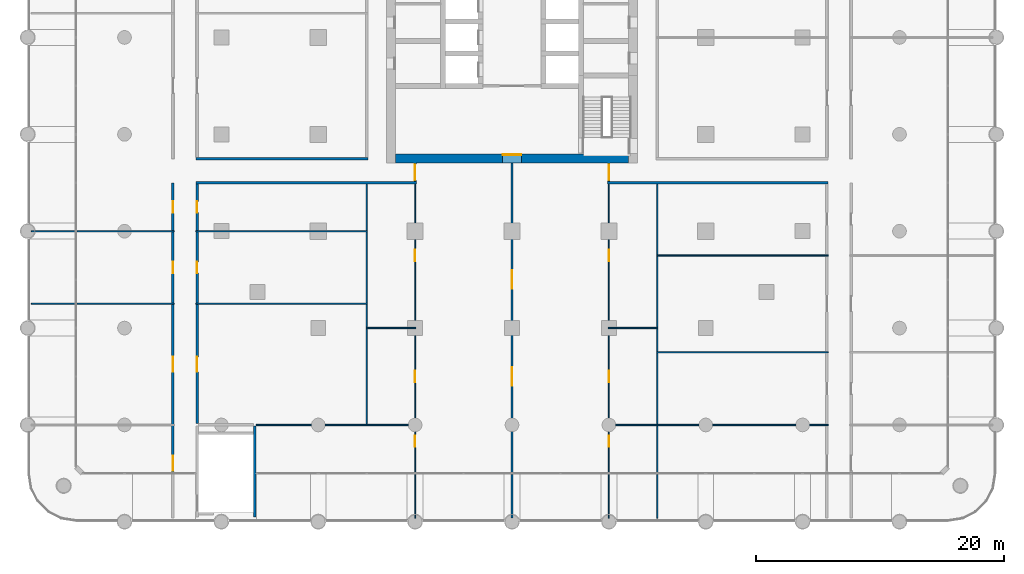
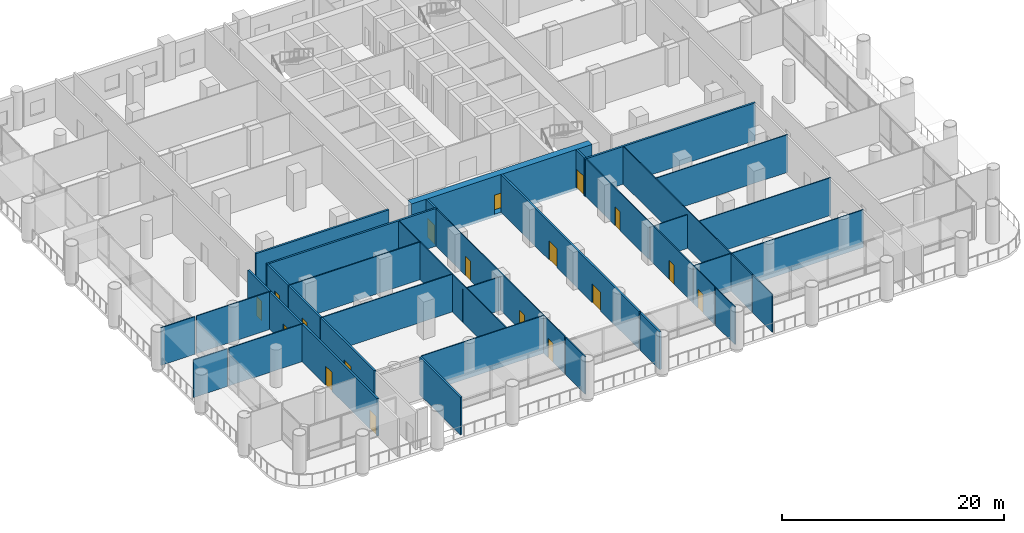
# One storey, part 10 of 23: 30 walls, 18 doors, 18 openings.
"""IFC4 building model written with IfcOpenShell, lengths in metres."""

from ifc_helpers import new_model, si_unit, direction, frame, frame_2d, origin, place, context, subcontext, project, spatial, rectangle, extrude, material, layer, layer_set, type_object, element, fill, save


model = new_model("IFC4")

# Units and contexts
model_context = context("Model", 3, precision=1e-05, world=origin(), true_north=direction((0.0, 1.0)))
body_context = subcontext(model_context, "Body", "Model", "MODEL_VIEW")
ifc_project = project(units=[si_unit("LENGTHUNIT", "METRE"), si_unit("AREAUNIT", "SQUARE_METRE"), si_unit("VOLUMEUNIT", "CUBIC_METRE"), si_unit("PLANEANGLEUNIT", "RADIAN"), si_unit("MASSUNIT", "GRAM", prefix="KILO")], contexts=[model_context])

# Site, building, storey
site_placement = place(None, origin())
site = spatial("IfcSite", under=ifc_project, at=site_placement, CompositionType="ELEMENT")
building_placement = place(site_placement, origin())
building = spatial("IfcBuilding", under=site, at=building_placement, Name="Ludao Terraces", CompositionType="ELEMENT")
storey_placement = place(building_placement, frame((0.0, 0.0, 10.5)))
storey = spatial("IfcBuildingStorey", under=building, at=storey_placement, Name="L02", CompositionType="ELEMENT", Elevation=10.5)

# Wall, opening, door
ifc_material_1 = material(Name="Concrete C70", Category="concrete")
ifc_layer_1 = layer(ifc_material_1, 0.699951171875)
ifc_layer_set_1 = layer_set([ifc_layer_1], Name="Core wall 700 C70")
wall_type_1 = type_object("IfcWallType", Name="Core wall 700 C70", PredefinedType="SOLIDWALL", material=ifc_layer_set_1)
wall_1_placement = place(storey_placement, frame((75.60009765625, 55.25, -0.300048828125), z_axis=(0.0, 0.0, 1.0), x_axis=(1.0, 0.0, 0.0)))
wall_1 = element("IfcWall", 1, at=wall_1_placement, inside=storey, type_object=wall_type_1, Name="Core wall L02 outer-S", PredefinedType="SOLIDWALL", context=body_context, shape_type="SweptSolid", body=[
    extrude(rectangle(XDim=18.7998046875, YDim=0.699951171875, at=frame_2d((9.39990234375, 0.0))), origin(), (0.0, 0.0, 1.0), 4.449951171875),
])
opening_1_placement = place(wall_1_placement, frame((8.64990234375, 0.0, 0.300048828125)))
opening_1 = element("IfcOpeningElement", 2, at=opening_1_placement, cuts=wall_1, Name="Opening L02-027", PredefinedType="OPENING", context=body_context, shape_type="SweptSolid", body=[
    extrude(rectangle(XDim=1.5, YDim=2.10009765625, at=frame_2d((0.75, 1.050048828125))), frame((0.0, 0.35986328125, 0.0), z_axis=(0.0, -1.0, 0.0), x_axis=(1.0, 0.0, 0.0)), (0.0, 0.0, 1.0), 0.719970703125),
])
ifc_material_2 = material(Name="Steel Q235", Category="steel")
door_type_1 = type_object("IfcDoorType", Name="INT Lobby door 1500", OperationType="DOUBLE_DOOR_SINGLE_SWING", PredefinedType="DOOR", material=ifc_material_2)
door_1_placement = place(opening_1_placement, origin())
door_1 = element("IfcDoor", 3, at=door_1_placement, inside=storey, type_object=door_type_1, Name="DOOR 027", OperationType="DOUBLE_DOOR_SINGLE_SWING", OverallHeight=2.10009765625, OverallWidth=1.5, PredefinedType="DOOR", context=body_context, shape_type="SweptSolid", body=[
    extrude(rectangle(XDim=1.5, YDim=2.10009765625, at=frame_2d((0.75, 1.050048828125))), frame((0.0, 0.3349609375, 0.0), z_axis=(0.0, -1.0, 0.0), x_axis=(1.0, 0.0, 0.0)), (0.0, 0.0, 1.0), 0.050048828125),
])
fill(opening_1, door_1)

# Walls
ifc_material_3 = material(Name="Autoclaved aerated concrete block B06 A3.5", Category="concrete")
ifc_layer_2 = layer(ifc_material_3, 0.199951171875)
ifc_layer_set_2 = layer_set([ifc_layer_2], Name="INT Entrance wall 200")
wall_type_2 = type_object("IfcWallType", Name="INT Entrance wall 200", PredefinedType="PARTITIONING", material=ifc_layer_set_2)
for number, where, z_axis, x_axis, name in (
    (4, (59.550048828125, 53.300048828125, 0.0), (0.0, 0.0, 1.0), (1.0, 0.0, 0.0), "PW-L02-PW021"),
    (5, (92.7001953125, 53.300048828125, 0.0), (0.0, 0.0, 1.0), (1.0, 0.0, 0.0), "PW-L02-PW022"),
):
    element("IfcWall", number, at=place(storey_placement, frame(where, z_axis=z_axis, x_axis=x_axis)), inside=storey, type_object=wall_type_2, Name=name, PredefinedType="PARTITIONING", context=body_context, shape_type="SweptSolid", body=[
        extrude(rectangle(XDim=17.75, YDim=0.199951171875, at=frame_2d((8.875, 0.0))), origin(), (0.0, 0.0, 1.0), 4.14990234375),
    ])
wall_2_placement = place(storey_placement, frame((59.550048828125, 55.25, 0.0), z_axis=(0.0, 0.0, 1.0), x_axis=(1.0, 0.0, 0.0)))
element("IfcWall", 6, at=wall_2_placement, inside=storey, type_object=wall_type_2, Name="PW-L02-PW023", PredefinedType="PARTITIONING", context=body_context, shape_type="SweptSolid", body=[
    extrude(rectangle(XDim=13.85009765625, YDim=0.199951171875, at=frame_2d((6.925048828125, 0.0))), origin(), (0.0, 0.0, 1.0), 4.14990234375),
])

# Wall, openings, doors
wall_3_placement = place(storey_placement, frame((57.699951171875, 29.97998046875, 0.0), z_axis=(0.0, 0.0, 1.0), x_axis=(0.0, 1.0, 0.0)))
wall_3 = element("IfcWall", 7, at=wall_3_placement, inside=storey, type_object=wall_type_2, Name="PW-L02-PW050", PredefinedType="PARTITIONING", context=body_context, shape_type="SweptSolid", body=[
    extrude(rectangle(XDim=23.320068359375, YDim=0.199951171875, at=frame_2d((11.66015625, 0.0))), origin(), (0.0, 0.0, 1.0), 4.14990234375),
])
opening_2_placement = place(wall_3_placement, frame((0.14990234375, 0.0, 0.0)))
opening_2 = element("IfcOpeningElement", 8, at=opening_2_placement, cuts=wall_3, Name="Opening L02-002", PredefinedType="OPENING", context=body_context, shape_type="SweptSolid", body=[
    extrude(rectangle(XDim=1.199951171875, YDim=2.10009765625, at=frame_2d((0.60009765625, 1.050048828125))), frame((0.0, 0.10986328125, 0.0), z_axis=(0.0, -1.0, 0.0), x_axis=(1.0, 0.0, 0.0)), (0.0, 0.0, 1.0), 0.219970703125),
])
opening_3_placement = place(wall_3_placement, frame((8.094970703125, 0.0, 0.0)))
opening_3 = element("IfcOpeningElement", 9, at=opening_3_placement, cuts=wall_3, Name="Opening L02-012", PredefinedType="OPENING", context=body_context, shape_type="SweptSolid", body=[
    extrude(rectangle(XDim=1.199951171875, YDim=2.10009765625, at=frame_2d((0.60009765625, 1.050048828125))), frame((0.0, 0.10986328125, 0.0), z_axis=(0.0, -1.0, 0.0), x_axis=(1.0, 0.0, 0.0)), (0.0, 0.0, 1.0), 0.219970703125),
])
opening_4_placement = place(wall_3_placement, frame((16.044921875, 0.0, 0.0)))
opening_4 = element("IfcOpeningElement", 10, at=opening_4_placement, cuts=wall_3, Name="Opening L02-017", PredefinedType="OPENING", context=body_context, shape_type="SweptSolid", body=[
    extrude(rectangle(XDim=0.89990234375, YDim=2.10009765625, at=frame_2d((0.449951171875, 1.050048828125))), frame((0.0, 0.10986328125, 0.0), z_axis=(0.0, -1.0, 0.0), x_axis=(1.0, 0.0, 0.0)), (0.0, 0.0, 1.0), 0.219970703125),
])
opening_5_placement = place(wall_3_placement, frame((20.919921875, 0.0, 0.0)))
opening_5 = element("IfcOpeningElement", 11, at=opening_5_placement, cuts=wall_3, Name="Opening L02-023", PredefinedType="OPENING", context=body_context, shape_type="SweptSolid", body=[
    extrude(rectangle(XDim=0.89990234375, YDim=2.10009765625, at=frame_2d((0.449951171875, 1.050048828125))), frame((0.0, 0.10986328125, 0.0), z_axis=(0.0, -1.0, 0.0), x_axis=(1.0, 0.0, 0.0)), (0.0, 0.0, 1.0), 0.219970703125),
])
ifc_material_4 = material(Name="Timber door leaf", Category="wood")
door_type_2 = type_object("IfcDoorType", Name="INT Double door 1200", OperationType="DOUBLE_DOOR_SINGLE_SWING", PredefinedType="DOOR", material=ifc_material_4)
door_2_placement = place(opening_2_placement, origin())
door_2 = element("IfcDoor", 12, at=door_2_placement, inside=storey, type_object=door_type_2, Name="DOOR 002", OperationType="DOUBLE_DOOR_SINGLE_SWING", OverallHeight=2.10009765625, OverallWidth=1.199951171875, PredefinedType="DOOR", context=body_context, shape_type="SweptSolid", body=[
    extrude(rectangle(XDim=1.199951171875, YDim=2.10009765625, at=frame_2d((0.60009765625, 1.050048828125))), frame((0.0, 0.02490234375, 0.0), z_axis=(0.0, -1.0, 0.0), x_axis=(1.0, 0.0, 0.0)), (0.0, 0.0, 1.0), 0.050048828125),
])
fill(opening_2, door_2)
door_3_placement = place(opening_3_placement, origin())
door_3 = element("IfcDoor", 13, at=door_3_placement, inside=storey, type_object=door_type_2, Name="DOOR 012", OperationType="DOUBLE_DOOR_SINGLE_SWING", OverallHeight=2.10009765625, OverallWidth=1.199951171875, PredefinedType="DOOR", context=body_context, shape_type="SweptSolid", body=[
    extrude(rectangle(XDim=1.199951171875, YDim=2.10009765625, at=frame_2d((0.60009765625, 1.050048828125))), frame((0.0, 0.02490234375, 0.0), z_axis=(0.0, -1.0, 0.0), x_axis=(1.0, 0.0, 0.0)), (0.0, 0.0, 1.0), 0.050048828125),
])
fill(opening_3, door_3)
door_type_3 = type_object("IfcDoorType", Name="INT Room door 900", OperationType="SINGLE_SWING_LEFT", PredefinedType="DOOR", material=ifc_material_4)
door_4_placement = place(opening_4_placement, origin())
door_4 = element("IfcDoor", 14, at=door_4_placement, inside=storey, type_object=door_type_3, Name="DOOR 017", OperationType="SINGLE_SWING_LEFT", OverallHeight=2.10009765625, OverallWidth=0.89990234375, PredefinedType="DOOR", context=body_context, shape_type="SweptSolid", body=[
    extrude(rectangle(XDim=0.89990234375, YDim=2.10009765625, at=frame_2d((0.449951171875, 1.050048828125))), frame((0.0, 0.02490234375, 0.0), z_axis=(0.0, -1.0, 0.0), x_axis=(1.0, 0.0, 0.0)), (0.0, 0.0, 1.0), 0.050048828125),
])
fill(opening_4, door_4)
door_5_placement = place(opening_5_placement, origin())
door_5 = element("IfcDoor", 15, at=door_5_placement, inside=storey, type_object=door_type_3, Name="DOOR 023", OperationType="SINGLE_SWING_LEFT", OverallHeight=2.10009765625, OverallWidth=0.89990234375, PredefinedType="DOOR", context=body_context, shape_type="SweptSolid", body=[
    extrude(rectangle(XDim=0.89990234375, YDim=2.10009765625, at=frame_2d((0.449951171875, 1.050048828125))), frame((0.0, 0.02490234375, 0.0), z_axis=(0.0, -1.0, 0.0), x_axis=(1.0, 0.0, 0.0)), (0.0, 0.0, 1.0), 0.050048828125),
])
fill(opening_5, door_5)

wall_4_placement = place(storey_placement, frame((59.64990234375, 33.900146484375, 0.0), z_axis=(0.0, 0.0, 1.0), x_axis=(0.0, 1.0, 0.0)))
wall_4 = element("IfcWall", 16, at=wall_4_placement, inside=storey, type_object=wall_type_2, Name="PW-L02-PW052", PredefinedType="PARTITIONING", context=body_context, shape_type="SweptSolid", body=[
    extrude(rectangle(XDim=19.300048828125, YDim=0.199951171875, at=frame_2d((9.64990234375, 0.0))), origin(), (0.0, 0.0, 1.0), 4.14990234375),
])
opening_6_placement = place(wall_4_placement, frame((4.175048828125, 0.0, 0.0)))
opening_6 = element("IfcOpeningElement", 17, at=opening_6_placement, cuts=wall_4, Name="Opening L02-013", PredefinedType="OPENING", context=body_context, shape_type="SweptSolid", body=[
    extrude(rectangle(XDim=1.199951171875, YDim=2.10009765625, at=frame_2d((0.60009765625, 1.050048828125))), frame((0.0, 0.10986328125, 0.0), z_axis=(0.0, -1.0, 0.0), x_axis=(1.0, 0.0, 0.0)), (0.0, 0.0, 1.0), 0.219970703125),
])
opening_7_placement = place(wall_4_placement, frame((12.125, 0.0, 0.0)))
opening_7 = element("IfcOpeningElement", 18, at=opening_7_placement, cuts=wall_4, Name="Opening L02-018", PredefinedType="OPENING", context=body_context, shape_type="SweptSolid", body=[
    extrude(rectangle(XDim=0.89990234375, YDim=2.10009765625, at=frame_2d((0.449951171875, 1.050048828125))), frame((0.0, 0.10986328125, 0.0), z_axis=(0.0, -1.0, 0.0), x_axis=(1.0, 0.0, 0.0)), (0.0, 0.0, 1.0), 0.219970703125),
])
opening_8_placement = place(wall_4_placement, frame((17.0, 0.0, 0.0)))
opening_8 = element("IfcOpeningElement", 19, at=opening_8_placement, cuts=wall_4, Name="Opening L02-024", PredefinedType="OPENING", context=body_context, shape_type="SweptSolid", body=[
    extrude(rectangle(XDim=0.89990234375, YDim=2.10009765625, at=frame_2d((0.449951171875, 1.050048828125))), frame((0.0, 0.10986328125, 0.0), z_axis=(0.0, -1.0, 0.0), x_axis=(1.0, 0.0, 0.0)), (0.0, 0.0, 1.0), 0.219970703125),
])
door_6_placement = place(opening_6_placement, origin())
door_6 = element("IfcDoor", 20, at=door_6_placement, inside=storey, type_object=door_type_2, Name="DOOR 013", OperationType="DOUBLE_DOOR_SINGLE_SWING", OverallHeight=2.10009765625, OverallWidth=1.199951171875, PredefinedType="DOOR", context=body_context, shape_type="SweptSolid", body=[
    extrude(rectangle(XDim=1.199951171875, YDim=2.10009765625, at=frame_2d((0.60009765625, 1.050048828125))), frame((0.0, 0.02490234375, 0.0), z_axis=(0.0, -1.0, 0.0), x_axis=(1.0, 0.0, 0.0)), (0.0, 0.0, 1.0), 0.050048828125),
])
fill(opening_6, door_6)
door_7_placement = place(opening_7_placement, origin())
door_7 = element("IfcDoor", 21, at=door_7_placement, inside=storey, type_object=door_type_3, Name="DOOR 018", OperationType="SINGLE_SWING_RIGHT", OverallHeight=2.10009765625, OverallWidth=0.89990234375, PredefinedType="DOOR", context=body_context, shape_type="SweptSolid", body=[
    extrude(rectangle(XDim=0.89990234375, YDim=2.10009765625, at=frame_2d((0.449951171875, 1.050048828125))), frame((0.0, 0.02490234375, 0.0), z_axis=(0.0, -1.0, 0.0), x_axis=(1.0, 0.0, 0.0)), (0.0, 0.0, 1.0), 0.050048828125),
])
fill(opening_7, door_7)
door_8_placement = place(opening_8_placement, origin())
door_8 = element("IfcDoor", 22, at=door_8_placement, inside=storey, type_object=door_type_3, Name="DOOR 024", OperationType="SINGLE_SWING_LEFT", OverallHeight=2.10009765625, OverallWidth=0.89990234375, PredefinedType="DOOR", context=body_context, shape_type="SweptSolid", body=[
    extrude(rectangle(XDim=0.89990234375, YDim=2.10009765625, at=frame_2d((0.449951171875, 1.050048828125))), frame((0.0, 0.02490234375, 0.0), z_axis=(0.0, -1.0, 0.0), x_axis=(1.0, 0.0, 0.0)), (0.0, 0.0, 1.0), 0.050048828125),
])
fill(opening_8, door_8)

# Wall, opening, door
wall_5_placement = place(storey_placement, frame((77.199951171875, 53.400146484375, 0.0), z_axis=(0.0, 0.0, 1.0), x_axis=(0.0, 1.0, 0.0)))
wall_5 = element("IfcWall", 23, at=wall_5_placement, inside=storey, type_object=wall_type_2, Name="PW-L02-PW059", PredefinedType="PARTITIONING", context=body_context, shape_type="SweptSolid", body=[
    extrude(rectangle(XDim=1.5, YDim=0.199951171875, at=frame_2d((0.75, 0.0))), origin(), (0.0, 0.0, 1.0), 4.14990234375),
])
opening_9_placement = place(wall_5_placement, frame((0.10009765625, 0.0, 0.0)))
opening_9 = element("IfcOpeningElement", 24, at=opening_9_placement, cuts=wall_5, Name="Opening L02-025", PredefinedType="OPENING", context=body_context, shape_type="SweptSolid", body=[
    extrude(rectangle(XDim=1.300048828125, YDim=2.10009765625, at=frame_2d((0.64990234375, 1.050048828125))), frame((0.0, 0.10986328125, 0.0), z_axis=(0.0, -1.0, 0.0), x_axis=(1.0, 0.0, 0.0)), (0.0, 0.0, 1.0), 0.219970703125),
])
door_type_4 = type_object("IfcDoorType", Name="INT Lobby door 1300", OperationType="DOUBLE_DOOR_SINGLE_SWING", PredefinedType="DOOR", material=ifc_material_2)
door_9_placement = place(opening_9_placement, origin())
door_9 = element("IfcDoor", 25, at=door_9_placement, inside=storey, type_object=door_type_4, Name="DOOR 025", OperationType="DOUBLE_DOOR_SINGLE_SWING", OverallHeight=2.10009765625, OverallWidth=1.300048828125, PredefinedType="DOOR", context=body_context, shape_type="SweptSolid", body=[
    extrude(rectangle(XDim=1.300048828125, YDim=2.10009765625, at=frame_2d((0.64990234375, 1.050048828125))), frame((0.0, 0.02490234375, 0.0), z_axis=(0.0, -1.0, 0.0), x_axis=(1.0, 0.0, 0.0)), (0.0, 0.0, 1.0), 0.050048828125),
])
fill(opening_9, door_9)

# Wall
wall_6_placement = place(storey_placement, frame((85.0, 26.300048828125, 0.0), z_axis=(0.0, 0.0, 1.0), x_axis=(0.0, 1.0, 0.0)))
element("IfcWall", 26, at=wall_6_placement, inside=storey, type_object=wall_type_2, Name="PW-L02-PW060", PredefinedType="PARTITIONING", context=body_context, shape_type="SweptSolid", body=[
    extrude(rectangle(XDim=3.52001953125, YDim=0.199951171875, at=frame_2d((1.760009765625, 0.0))), origin(), (0.0, 0.0, 1.0), 4.14990234375),
])

# Wall, openings, doors
wall_7_placement = place(storey_placement, frame((85.0, 29.97998046875, 0.0), z_axis=(0.0, 0.0, 1.0), x_axis=(0.0, 1.0, 0.0)))
wall_7 = element("IfcWall", 27, at=wall_7_placement, inside=storey, type_object=wall_type_2, Name="PW-L02-PW061", PredefinedType="PARTITIONING", context=body_context, shape_type="SweptSolid", body=[
    extrude(rectangle(XDim=24.920166015625, YDim=0.199951171875, at=frame_2d((12.4599609375, 0.0))), origin(), (0.0, 0.0, 1.0), 4.14990234375),
])
opening_10_placement = place(wall_7_placement, frame((6.969970703125, 0.0, 0.0)))
opening_10 = element("IfcOpeningElement", 28, at=opening_10_placement, cuts=wall_7, Name="Opening L02-010", PredefinedType="OPENING", context=body_context, shape_type="SweptSolid", body=[
    extrude(rectangle(XDim=1.5, YDim=2.10009765625, at=frame_2d((0.75, 1.050048828125))), frame((0.0, 0.10986328125, 0.0), z_axis=(0.0, -1.0, 0.0), x_axis=(1.0, 0.0, 0.0)), (0.0, 0.0, 1.0), 0.219970703125),
])
opening_11_placement = place(wall_7_placement, frame((14.77001953125, 0.0, 0.0)))
opening_11 = element("IfcOpeningElement", 29, at=opening_11_placement, cuts=wall_7, Name="Opening L02-016", PredefinedType="OPENING", context=body_context, shape_type="SweptSolid", body=[
    extrude(rectangle(XDim=1.5, YDim=2.10009765625, at=frame_2d((0.75, 1.050048828125))), frame((0.0, 0.10986328125, 0.0), z_axis=(0.0, -1.0, 0.0), x_axis=(1.0, 0.0, 0.0)), (0.0, 0.0, 1.0), 0.219970703125),
])
door_10_placement = place(opening_10_placement, origin())
door_10 = element("IfcDoor", 30, at=door_10_placement, inside=storey, type_object=door_type_1, Name="DOOR 010", OperationType="DOUBLE_DOOR_SINGLE_SWING", OverallHeight=2.10009765625, OverallWidth=1.5, PredefinedType="DOOR", context=body_context, shape_type="SweptSolid", body=[
    extrude(rectangle(XDim=1.5, YDim=2.10009765625, at=frame_2d((0.75, 1.050048828125))), frame((0.0, 0.02490234375, 0.0), z_axis=(0.0, -1.0, 0.0), x_axis=(1.0, 0.0, 0.0)), (0.0, 0.0, 1.0), 0.050048828125),
])
fill(opening_10, door_10)
door_11_placement = place(opening_11_placement, origin())
door_11 = element("IfcDoor", 31, at=door_11_placement, inside=storey, type_object=door_type_1, Name="DOOR 016", OperationType="DOUBLE_DOOR_SINGLE_SWING", OverallHeight=2.10009765625, OverallWidth=1.5, PredefinedType="DOOR", context=body_context, shape_type="SweptSolid", body=[
    extrude(rectangle(XDim=1.5, YDim=2.10009765625, at=frame_2d((0.75, 1.050048828125))), frame((0.0, 0.02490234375, 0.0), z_axis=(0.0, -1.0, 0.0), x_axis=(1.0, 0.0, 0.0)), (0.0, 0.0, 1.0), 0.050048828125),
])
fill(opening_11, door_11)

# Wall, opening, door
wall_8_placement = place(storey_placement, frame((92.800048828125, 53.400146484375, 0.0), z_axis=(0.0, 0.0, 1.0), x_axis=(0.0, 1.0, 0.0)))
wall_8 = element("IfcWall", 32, at=wall_8_placement, inside=storey, type_object=wall_type_2, Name="PW-L02-PW065", PredefinedType="PARTITIONING", context=body_context, shape_type="SweptSolid", body=[
    extrude(rectangle(XDim=1.5, YDim=0.199951171875, at=frame_2d((0.75, 0.0))), origin(), (0.0, 0.0, 1.0), 4.14990234375),
])
opening_12_placement = place(wall_8_placement, frame((0.10009765625, 0.0, 0.0)))
opening_12 = element("IfcOpeningElement", 33, at=opening_12_placement, cuts=wall_8, Name="Opening L02-026", PredefinedType="OPENING", context=body_context, shape_type="SweptSolid", body=[
    extrude(rectangle(XDim=1.300048828125, YDim=2.10009765625, at=frame_2d((0.64990234375, 1.050048828125))), frame((0.0, 0.10986328125, 0.0), z_axis=(0.0, -1.0, 0.0), x_axis=(1.0, 0.0, 0.0)), (0.0, 0.0, 1.0), 0.219970703125),
])
door_12_placement = place(opening_12_placement, origin())
door_12 = element("IfcDoor", 34, at=door_12_placement, inside=storey, type_object=door_type_4, Name="DOOR 026", OperationType="DOUBLE_DOOR_SINGLE_SWING", OverallHeight=2.10009765625, OverallWidth=1.300048828125, PredefinedType="DOOR", context=body_context, shape_type="SweptSolid", body=[
    extrude(rectangle(XDim=1.300048828125, YDim=2.10009765625, at=frame_2d((0.64990234375, 1.050048828125))), frame((0.0, 0.02490234375, 0.0), z_axis=(0.0, -1.0, 0.0), x_axis=(1.0, 0.0, 0.0)), (0.0, 0.0, 1.0), 0.050048828125),
])
fill(opening_12, door_12)

# Walls
ifc_material_5 = material(Name="Gypsum plasterboard", Category="gypsum")
ifc_layer_3 = layer(ifc_material_5, 0.012451171875, Category="gypsum")
ifc_material_6 = material(Name="Mineral wool")
ifc_layer_4 = layer(ifc_material_6, 0.06005859375, Name="insulation")
ifc_layer_5 = layer(ifc_material_2, 0.014892578125, Name="stud")
ifc_layer_6 = layer(ifc_material_5, 0.012451171875, Category="gypsum")
ifc_layer_set_3 = layer_set([ifc_layer_3, ifc_layer_4, ifc_layer_5, ifc_layer_6], Name="INT Partition 100")
wall_type_3 = type_object("IfcWallType", Name="INT Partition 100", PredefinedType="PARTITIONING", material=ifc_layer_set_3)
wall_9_placement = place(storey_placement, frame((64.400146484375, 33.800048828125, 0.0), z_axis=(0.0, 0.0, 1.0), x_axis=(1.0, 0.0, 0.0)))
element("IfcWall", 35, at=wall_9_placement, inside=storey, type_object=wall_type_3, Name="PW-L02-PW003", PredefinedType="PARTITIONING", context=body_context, shape_type="SweptSolid", body=[
    extrude(rectangle(XDim=12.849853515625, YDim=0.10009765625, at=frame_2d((6.4248046875, 0.0))), origin(), (0.0, 0.0, 1.0), 4.14990234375),
])
wall_10_placement = place(storey_placement, frame((92.75, 33.800048828125, 0.0), z_axis=(0.0, 0.0, 1.0), x_axis=(1.0, 0.0, 0.0)))
element("IfcWall", 36, at=wall_10_placement, inside=storey, type_object=wall_type_3, Name="PW-L02-PW004", PredefinedType="PARTITIONING", context=body_context, shape_type="SweptSolid", body=[
    extrude(rectangle(XDim=17.7001953125, YDim=0.10009765625, at=frame_2d((8.85009765625, 0.0))), origin(), (0.0, 0.0, 1.0), 4.14990234375),
])
wall_11_placement = place(storey_placement, frame((96.650146484375, 39.64990234375, 0.0), z_axis=(0.0, 0.0, 1.0), x_axis=(1.0, 0.0, 0.0)))
element("IfcWall", 37, at=wall_11_placement, inside=storey, type_object=wall_type_3, Name="PW-L02-PW007", PredefinedType="PARTITIONING", context=body_context, shape_type="SweptSolid", body=[
    extrude(rectangle(XDim=13.800048828125, YDim=0.10009765625, at=frame_2d((6.89990234375, 0.0))), origin(), (0.0, 0.0, 1.0), 4.14990234375),
])
for number, where, z_axis, x_axis, name in (
    (38, (73.25, 41.60009765625, 0.0), (0.0, 0.0, 1.0), (1.0, 0.0, 0.0), "PW-L02-PW010"),
    (39, (92.75, 41.60009765625, 0.0), (0.0, 0.0, 1.0), (1.0, 0.0, 0.0), "PW-L02-PW011"),
):
    element("IfcWall", number, at=place(storey_placement, frame(where, z_axis=z_axis, x_axis=x_axis)), inside=storey, type_object=wall_type_3, Name=name, PredefinedType="PARTITIONING", context=body_context, shape_type="SweptSolid", body=[
        extrude(rectangle(XDim=4.0, YDim=0.10009765625, at=frame_2d((2.0, 0.0))), origin(), (0.0, 0.0, 1.0), 3.699951171875),
    ])
wall_12_placement = place(storey_placement, frame((46.300048828125, 43.550048828125, 0.0), z_axis=(0.0, 0.0, 1.0), x_axis=(1.0, 0.0, 0.0)))
element("IfcWall", 40, at=wall_12_placement, inside=storey, type_object=wall_type_3, Name="PW-L02-PW012", PredefinedType="PARTITIONING", context=body_context, shape_type="SweptSolid", body=[
    extrude(rectangle(XDim=3.52001953125, YDim=0.10009765625, at=frame_2d((1.760009765625, 0.0))), origin(), (0.0, 0.0, 1.0), 4.14990234375),
])
wall_13_placement = place(storey_placement, frame((49.97998046875, 43.550048828125, 0.0), z_axis=(0.0, 0.0, 1.0), x_axis=(1.0, 0.0, 0.0)))
element("IfcWall", 41, at=wall_13_placement, inside=storey, type_object=wall_type_3, Name="PW-L02-PW013", PredefinedType="PARTITIONING", context=body_context, shape_type="SweptSolid", body=[
    extrude(rectangle(XDim=7.820068359375, YDim=0.10009765625, at=frame_2d((3.91015625, 0.0))), origin(), (0.0, 0.0, 1.0), 4.14990234375),
])
for number, where, z_axis, x_axis, name in (
    (42, (59.550048828125, 43.550048828125, 0.0), (0.0, 0.0, 1.0), (1.0, 0.0, 0.0), "PW-L02-PW014"),
    (43, (96.650146484375, 47.449951171875, 0.0), (0.0, 0.0, 1.0), (1.0, 0.0, 0.0), "PW-L02-PW015"),
):
    element("IfcWall", number, at=place(storey_placement, frame(where, z_axis=z_axis, x_axis=x_axis)), inside=storey, type_object=wall_type_3, Name=name, PredefinedType="PARTITIONING", context=body_context, shape_type="SweptSolid", body=[
        extrude(rectangle(XDim=13.800048828125, YDim=0.10009765625, at=frame_2d((6.89990234375, 0.0))), origin(), (0.0, 0.0, 1.0), 4.14990234375),
    ])
wall_14_placement = place(storey_placement, frame((46.300048828125, 49.39990234375, 0.0), z_axis=(0.0, 0.0, 1.0), x_axis=(1.0, 0.0, 0.0)))
element("IfcWall", 44, at=wall_14_placement, inside=storey, type_object=wall_type_3, Name="PW-L02-PW018", PredefinedType="PARTITIONING", context=body_context, shape_type="SweptSolid", body=[
    extrude(rectangle(XDim=3.52001953125, YDim=0.10009765625, at=frame_2d((1.760009765625, 0.0))), origin(), (0.0, 0.0, 1.0), 4.14990234375),
])
wall_15_placement = place(storey_placement, frame((49.97998046875, 49.39990234375, 0.0), z_axis=(0.0, 0.0, 1.0), x_axis=(1.0, 0.0, 0.0)))
element("IfcWall", 45, at=wall_15_placement, inside=storey, type_object=wall_type_3, Name="PW-L02-PW019", PredefinedType="PARTITIONING", context=body_context, shape_type="SweptSolid", body=[
    extrude(rectangle(XDim=7.820068359375, YDim=0.10009765625, at=frame_2d((3.91015625, 0.0))), origin(), (0.0, 0.0, 1.0), 4.14990234375),
])
wall_16_placement = place(storey_placement, frame((59.550048828125, 49.39990234375, 0.0), z_axis=(0.0, 0.0, 1.0), x_axis=(1.0, 0.0, 0.0)))
element("IfcWall", 46, at=wall_16_placement, inside=storey, type_object=wall_type_3, Name="PW-L02-PW020", PredefinedType="PARTITIONING", context=body_context, shape_type="SweptSolid", body=[
    extrude(rectangle(XDim=13.800048828125, YDim=0.10009765625, at=frame_2d((6.89990234375, 0.0))), origin(), (0.0, 0.0, 1.0), 4.14990234375),
])
wall_17_placement = place(storey_placement, frame((73.300048828125, 33.85009765625, 0.0), z_axis=(0.0, 0.0, 1.0), x_axis=(0.0, 1.0, 0.0)))
element("IfcWall", 47, at=wall_17_placement, inside=storey, type_object=wall_type_3, Name="PW-L02-PW054", PredefinedType="PARTITIONING", context=body_context, shape_type="SweptSolid", body=[
    extrude(rectangle(XDim=19.35009765625, YDim=0.10009765625, at=frame_2d((9.675048828125, 0.0))), origin(), (0.0, 0.0, 1.0), 4.14990234375),
])
wall_18_placement = place(storey_placement, frame((77.199951171875, 26.300048828125, 0.0), z_axis=(0.0, 0.0, 1.0), x_axis=(0.0, 1.0, 0.0)))
element("IfcWall", 48, at=wall_18_placement, inside=storey, type_object=wall_type_3, Name="PW-L02-PW057", PredefinedType="PARTITIONING", context=body_context, shape_type="SweptSolid", body=[
    extrude(rectangle(XDim=3.52001953125, YDim=0.10009765625, at=frame_2d((1.760009765625, 0.0))), origin(), (0.0, 0.0, 1.0), 4.14990234375),
])

# Wall, openings, doors
wall_19_placement = place(storey_placement, frame((77.199951171875, 29.97998046875, 0.0), z_axis=(0.0, 0.0, 1.0), x_axis=(0.0, 1.0, 0.0)))
wall_19 = element("IfcWall", 49, at=wall_19_placement, inside=storey, type_object=wall_type_3, Name="PW-L02-PW058", PredefinedType="PARTITIONING", context=body_context, shape_type="SweptSolid", body=[
    extrude(rectangle(XDim=23.22021484375, YDim=0.10009765625, at=frame_2d((11.610107421875, 0.0))), origin(), (0.0, 0.0, 1.0), 4.14990234375),
])
opening_13_placement = place(wall_19_placement, frame((2.070068359375, 0.0, 0.0)))
opening_13 = element("IfcOpeningElement", 50, at=opening_13_placement, cuts=wall_19, Name="Opening L02-005", PredefinedType="OPENING", context=body_context, shape_type="SweptSolid", body=[
    extrude(rectangle(XDim=0.89990234375, YDim=2.10009765625, at=frame_2d((0.449951171875, 1.050048828125))), frame((0.0, 0.06005859375, 0.0), z_axis=(0.0, -1.0, 0.0), x_axis=(1.0, 0.0, 0.0)), (0.0, 0.0, 1.0), 0.1201171875),
])
opening_14_placement = place(wall_19_placement, frame((7.27001953125, 0.0, 0.0)))
opening_14 = element("IfcOpeningElement", 51, at=opening_14_placement, cuts=wall_19, Name="Opening L02-009", PredefinedType="OPENING", context=body_context, shape_type="SweptSolid", body=[
    extrude(rectangle(XDim=0.89990234375, YDim=2.10009765625, at=frame_2d((0.449951171875, 1.050048828125))), frame((0.0, 0.06005859375, 0.0), z_axis=(0.0, -1.0, 0.0), x_axis=(1.0, 0.0, 0.0)), (0.0, 0.0, 1.0), 0.1201171875),
])
opening_15_placement = place(wall_19_placement, frame((17.02001953125, 0.0, 0.0)))
opening_15 = element("IfcOpeningElement", 52, at=opening_15_placement, cuts=wall_19, Name="Opening L02-019", PredefinedType="OPENING", context=body_context, shape_type="SweptSolid", body=[
    extrude(rectangle(XDim=0.89990234375, YDim=2.10009765625, at=frame_2d((0.449951171875, 1.050048828125))), frame((0.0, 0.06005859375, 0.0), z_axis=(0.0, -1.0, 0.0), x_axis=(1.0, 0.0, 0.0)), (0.0, 0.0, 1.0), 0.1201171875),
])
door_13_placement = place(opening_13_placement, origin())
door_13 = element("IfcDoor", 53, at=door_13_placement, inside=storey, type_object=door_type_3, Name="DOOR 005", OperationType="SINGLE_SWING_RIGHT", OverallHeight=2.10009765625, OverallWidth=0.89990234375, PredefinedType="DOOR", context=body_context, shape_type="SweptSolid", body=[
    extrude(rectangle(XDim=0.89990234375, YDim=2.10009765625, at=frame_2d((0.449951171875, 1.050048828125))), frame((0.0, 0.02490234375, 0.0), z_axis=(0.0, -1.0, 0.0), x_axis=(1.0, 0.0, 0.0)), (0.0, 0.0, 1.0), 0.050048828125),
])
fill(opening_13, door_13)
door_14_placement = place(opening_14_placement, origin())
door_14 = element("IfcDoor", 54, at=door_14_placement, inside=storey, type_object=door_type_3, Name="DOOR 009", OperationType="SINGLE_SWING_LEFT", OverallHeight=2.10009765625, OverallWidth=0.89990234375, PredefinedType="DOOR", context=body_context, shape_type="SweptSolid", body=[
    extrude(rectangle(XDim=0.89990234375, YDim=2.10009765625, at=frame_2d((0.449951171875, 1.050048828125))), frame((0.0, 0.02490234375, 0.0), z_axis=(0.0, -1.0, 0.0), x_axis=(1.0, 0.0, 0.0)), (0.0, 0.0, 1.0), 0.050048828125),
])
fill(opening_14, door_14)
door_15_placement = place(opening_15_placement, origin())
door_15 = element("IfcDoor", 55, at=door_15_placement, inside=storey, type_object=door_type_3, Name="DOOR 019", OperationType="SINGLE_SWING_RIGHT", OverallHeight=2.10009765625, OverallWidth=0.89990234375, PredefinedType="DOOR", context=body_context, shape_type="SweptSolid", body=[
    extrude(rectangle(XDim=0.89990234375, YDim=2.10009765625, at=frame_2d((0.449951171875, 1.050048828125))), frame((0.0, 0.02490234375, 0.0), z_axis=(0.0, -1.0, 0.0), x_axis=(1.0, 0.0, 0.0)), (0.0, 0.0, 1.0), 0.050048828125),
])
fill(opening_15, door_15)

# Wall
wall_20_placement = place(storey_placement, frame((92.800048828125, 26.300048828125, 0.0), z_axis=(0.0, 0.0, 1.0), x_axis=(0.0, 1.0, 0.0)))
element("IfcWall", 56, at=wall_20_placement, inside=storey, type_object=wall_type_3, Name="PW-L02-PW063", PredefinedType="PARTITIONING", context=body_context, shape_type="SweptSolid", body=[
    extrude(rectangle(XDim=3.52001953125, YDim=0.10009765625, at=frame_2d((1.760009765625, 0.0))), origin(), (0.0, 0.0, 1.0), 4.14990234375),
])

# Wall, openings, doors
wall_21_placement = place(storey_placement, frame((92.800048828125, 29.97998046875, 0.0), z_axis=(0.0, 0.0, 1.0), x_axis=(0.0, 1.0, 0.0)))
wall_21 = element("IfcWall", 57, at=wall_21_placement, inside=storey, type_object=wall_type_3, Name="PW-L02-PW064", PredefinedType="PARTITIONING", context=body_context, shape_type="SweptSolid", body=[
    extrude(rectangle(XDim=23.22021484375, YDim=0.10009765625, at=frame_2d((11.610107421875, 0.0))), origin(), (0.0, 0.0, 1.0), 4.14990234375),
])
opening_16_placement = place(wall_21_placement, frame((2.070068359375, 0.0, 0.0)))
opening_16 = element("IfcOpeningElement", 58, at=opening_16_placement, cuts=wall_21, Name="Opening L02-006", PredefinedType="OPENING", context=body_context, shape_type="SweptSolid", body=[
    extrude(rectangle(XDim=0.89990234375, YDim=2.10009765625, at=frame_2d((0.449951171875, 1.050048828125))), frame((0.0, 0.06005859375, 0.0), z_axis=(0.0, -1.0, 0.0), x_axis=(1.0, 0.0, 0.0)), (0.0, 0.0, 1.0), 0.1201171875),
])
opening_17_placement = place(wall_21_placement, frame((7.27001953125, 0.0, 0.0)))
opening_17 = element("IfcOpeningElement", 59, at=opening_17_placement, cuts=wall_21, Name="Opening L02-011", PredefinedType="OPENING", context=body_context, shape_type="SweptSolid", body=[
    extrude(rectangle(XDim=0.89990234375, YDim=2.10009765625, at=frame_2d((0.449951171875, 1.050048828125))), frame((0.0, 0.06005859375, 0.0), z_axis=(0.0, -1.0, 0.0), x_axis=(1.0, 0.0, 0.0)), (0.0, 0.0, 1.0), 0.1201171875),
])
opening_18_placement = place(wall_21_placement, frame((17.02001953125, 0.0, 0.0)))
opening_18 = element("IfcOpeningElement", 60, at=opening_18_placement, cuts=wall_21, Name="Opening L02-020", PredefinedType="OPENING", context=body_context, shape_type="SweptSolid", body=[
    extrude(rectangle(XDim=0.89990234375, YDim=2.10009765625, at=frame_2d((0.449951171875, 1.050048828125))), frame((0.0, 0.06005859375, 0.0), z_axis=(0.0, -1.0, 0.0), x_axis=(1.0, 0.0, 0.0)), (0.0, 0.0, 1.0), 0.1201171875),
])
door_16_placement = place(opening_16_placement, origin())
door_16 = element("IfcDoor", 61, at=door_16_placement, inside=storey, type_object=door_type_3, Name="DOOR 006", OperationType="SINGLE_SWING_LEFT", OverallHeight=2.10009765625, OverallWidth=0.89990234375, PredefinedType="DOOR", context=body_context, shape_type="SweptSolid", body=[
    extrude(rectangle(XDim=0.89990234375, YDim=2.10009765625, at=frame_2d((0.449951171875, 1.050048828125))), frame((0.0, 0.02490234375, 0.0), z_axis=(0.0, -1.0, 0.0), x_axis=(1.0, 0.0, 0.0)), (0.0, 0.0, 1.0), 0.050048828125),
])
fill(opening_16, door_16)
door_17_placement = place(opening_17_placement, origin())
door_17 = element("IfcDoor", 62, at=door_17_placement, inside=storey, type_object=door_type_3, Name="DOOR 011", OperationType="SINGLE_SWING_LEFT", OverallHeight=2.10009765625, OverallWidth=0.89990234375, PredefinedType="DOOR", context=body_context, shape_type="SweptSolid", body=[
    extrude(rectangle(XDim=0.89990234375, YDim=2.10009765625, at=frame_2d((0.449951171875, 1.050048828125))), frame((0.0, 0.02490234375, 0.0), z_axis=(0.0, -1.0, 0.0), x_axis=(1.0, 0.0, 0.0)), (0.0, 0.0, 1.0), 0.050048828125),
])
fill(opening_17, door_17)
door_18_placement = place(opening_18_placement, origin())
door_18 = element("IfcDoor", 63, at=door_18_placement, inside=storey, type_object=door_type_3, Name="DOOR 020", OperationType="SINGLE_SWING_RIGHT", OverallHeight=2.10009765625, OverallWidth=0.89990234375, PredefinedType="DOOR", context=body_context, shape_type="SweptSolid", body=[
    extrude(rectangle(XDim=0.89990234375, YDim=2.10009765625, at=frame_2d((0.449951171875, 1.050048828125))), frame((0.0, 0.02490234375, 0.0), z_axis=(0.0, -1.0, 0.0), x_axis=(1.0, 0.0, 0.0)), (0.0, 0.0, 1.0), 0.050048828125),
])
fill(opening_18, door_18)

# Walls
wall_22_placement = place(storey_placement, frame((96.699951171875, 26.300048828125, 0.0), z_axis=(0.0, 0.0, 1.0), x_axis=(0.0, 1.0, 0.0)))
element("IfcWall", 64, at=wall_22_placement, inside=storey, type_object=wall_type_3, Name="PW-L02-PW067", PredefinedType="PARTITIONING", context=body_context, shape_type="SweptSolid", body=[
    extrude(rectangle(XDim=3.52001953125, YDim=0.10009765625, at=frame_2d((1.760009765625, 0.0))), origin(), (0.0, 0.0, 1.0), 4.14990234375),
])
wall_23_placement = place(storey_placement, frame((96.699951171875, 29.97998046875, 0.0), z_axis=(0.0, 0.0, 1.0), x_axis=(0.0, 1.0, 0.0)))
element("IfcWall", 65, at=wall_23_placement, inside=storey, type_object=wall_type_3, Name="PW-L02-PW068", PredefinedType="PARTITIONING", context=body_context, shape_type="SweptSolid", body=[
    extrude(rectangle(XDim=23.22021484375, YDim=0.10009765625, at=frame_2d((11.610107421875, 0.0))), origin(), (0.0, 0.0, 1.0), 4.14990234375),
])
ifc_material_7 = material(Name="Concrete C50", Category="concrete")
ifc_layer_7 = layer(ifc_material_7, 0.199951171875)
ifc_layer_set_4 = layer_set([ifc_layer_7], Name="Shaft wall 200 C50")
wall_type_4 = type_object("IfcWallType", Name="Shaft wall 200 C50", PredefinedType="SOLIDWALL", material=ifc_layer_set_4)
wall_24_placement = place(storey_placement, frame((64.300048828125, 26.3798828125, 0.0), z_axis=(0.0, 0.0, 1.0), x_axis=(0.0, 1.0, 0.0)))
element("IfcWall", 66, at=wall_24_placement, inside=storey, type_object=wall_type_4, Name="Stair wall L02 PS1 E", PredefinedType="SOLIDWALL", context=body_context, shape_type="SweptSolid", body=[
    extrude(rectangle(XDim=7.320068359375, YDim=0.199951171875, at=frame_2d((3.66015625, 0.0))), origin(), (0.0, 0.0, 1.0), 4.14990234375),
])

save(model, "model.ifc")
